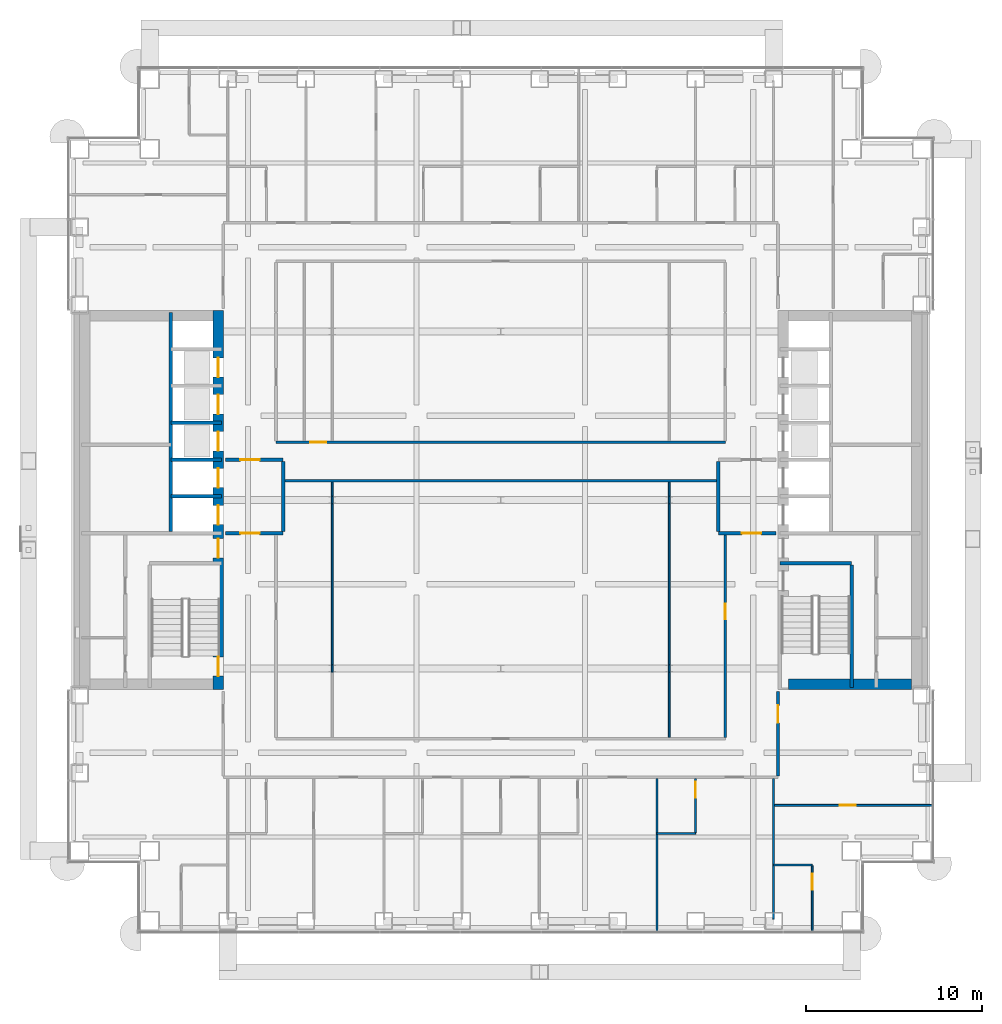
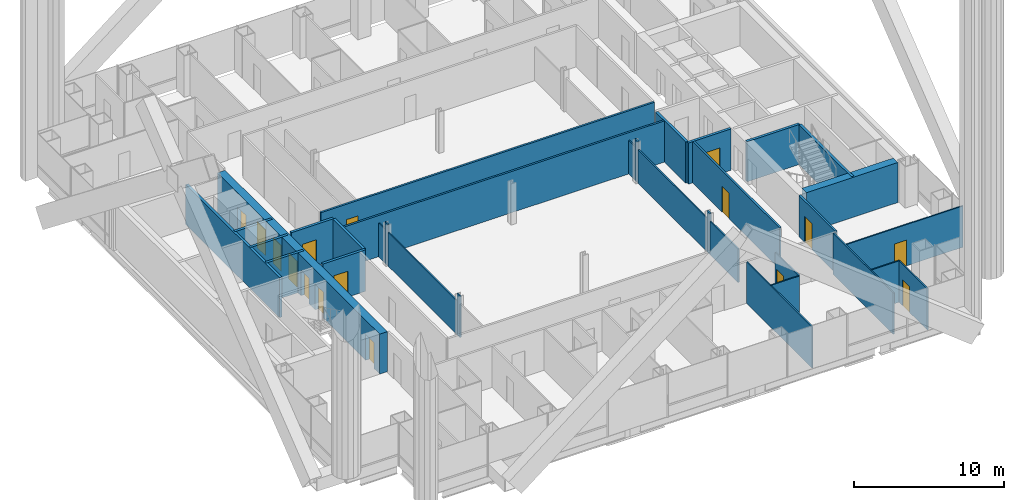
# One storey, part 19 of 28: 33 walls, 16 doors, 16 openings.
"""IFC4 building model written with IfcOpenShell, lengths in metres."""

from ifc_helpers import new_model, si_unit, direction, frame, frame_2d, origin, place, context, subcontext, project, spatial, rectangle, extrude, material, layer, layer_set, type_object, element, fill, save


model = new_model("IFC4")

# Units and contexts
model_context = context("Model", 3, precision=1e-05, world=origin(), true_north=direction((0.0, 1.0)))
body_context = subcontext(model_context, "Body", "Model", "MODEL_VIEW")
ifc_project = project(units=[si_unit("LENGTHUNIT", "METRE"), si_unit("AREAUNIT", "SQUARE_METRE"), si_unit("VOLUMEUNIT", "CUBIC_METRE"), si_unit("PLANEANGLEUNIT", "RADIAN"), si_unit("MASSUNIT", "GRAM", prefix="KILO")], contexts=[model_context])

# Site, building, storey
site_placement = place(None, origin())
site = spatial("IfcSite", under=ifc_project, at=site_placement, CompositionType="ELEMENT")
building_placement = place(site_placement, origin())
building = spatial("IfcBuilding", under=site, at=building_placement, Name="Cobrizo Arcos Hotel Tower", CompositionType="ELEMENT")
storey_placement = place(building_placement, frame((0.0, 0.0, 39.0)))
storey = spatial("IfcBuildingStorey", under=building, at=storey_placement, Name="L07", CompositionType="ELEMENT", Elevation=39.0)

# Wall
ifc_material_1 = material(Name="Gypsum board partition")
ifc_layer_1 = layer(ifc_material_1, 0.14990234375)
ifc_layer_set_1 = layer_set([ifc_layer_1], Name="Corridor wall EI 60 150")
wall_type_1 = type_object("IfcWallType", Name="Corridor wall EI 60 150", PredefinedType="PARTITIONING", material=ifc_layer_set_1)
wall_1_placement = place(storey_placement, frame((-12.39990234375, 1.10009765625, 0.0), z_axis=(0.0, 0.0, 1.0), x_axis=(1.0, 0.0, 0.0)))
element("IfcWall", 1, at=wall_1_placement, inside=storey, type_object=wall_type_1, Name="Partition 021", PredefinedType="PARTITIONING", context=body_context, shape_type="SweptSolid", body=[
    extrude(rectangle(XDim=24.7998046875, YDim=0.14990234375, at=frame_2d((12.39990234375, 0.0))), origin(), (0.0, 0.0, 1.0), 3.35009765625),
])

# Wall, opening, door
wall_2_placement = place(storey_placement, frame((-12.800048828125, 3.300048828125, 0.0), z_axis=(0.0, 0.0, 1.0), x_axis=(1.0, 0.0, 0.0)))
wall_2 = element("IfcWall", 2, at=wall_2_placement, inside=storey, type_object=wall_type_1, Name="Partition 028", PredefinedType="PARTITIONING", context=body_context, shape_type="SweptSolid", body=[
    extrude(rectangle(XDim=25.60009765625, YDim=0.14990234375, at=frame_2d((12.800048828125, 0.0))), origin(), (0.0, 0.0, 1.0), 3.35009765625),
])
opening_1_placement = place(wall_2_placement, frame((1.949951171875, 0.0, 0.0)))
opening_1 = element("IfcOpeningElement", 3, at=opening_1_placement, cuts=wall_2, Name="Opening ED-17", PredefinedType="OPENING", context=body_context, shape_type="SweptSolid", body=[
    extrude(rectangle(XDim=0.89990234375, YDim=2.10009765625, at=frame_2d((0.449951171875, 1.050048828125))), frame((0.0, 0.0869140625, 0.0), z_axis=(0.0, -1.0, 0.0), x_axis=(1.0, 0.0, 0.0)), (0.0, 0.0, 1.0), 0.173828125),
])
ifc_material_2 = material(Name="Timber door leaf", Category="wood")
door_type_1 = type_object("IfcDoorType", Name="En-suite door 900x2100", OperationType="SINGLE_SWING_LEFT", PredefinedType="DOOR", material=ifc_material_2)
door_1_placement = place(opening_1_placement, origin())
door_1 = element("IfcDoor", 4, at=door_1_placement, inside=storey, type_object=door_type_1, Name="Door ED-17", OperationType="SINGLE_SWING_RIGHT", OverallHeight=2.10009765625, OverallWidth=0.89990234375, PredefinedType="DOOR", context=body_context, shape_type="SweptSolid", body=[
    extrude(rectangle(XDim=0.89990234375, YDim=2.10009765625, at=frame_2d((0.449951171875, 1.050048828125))), frame((0.0, 0.02490234375, 0.0), z_axis=(0.0, -1.0, 0.0), x_axis=(1.0, 0.0, 0.0)), (0.0, 0.0, 1.0), 0.050048828125),
])
fill(opening_1, door_1)

wall_3_placement = place(storey_placement, frame((12.800048828125, -13.52490234375, 0.0), z_axis=(0.0, 0.0, 1.0), x_axis=(0.0, 1.0, 0.0)))
wall_3 = element("IfcWall", 5, at=wall_3_placement, inside=storey, type_object=wall_type_1, Name="Partition 095", PredefinedType="PARTITIONING", context=body_context, shape_type="SweptSolid", body=[
    extrude(rectangle(XDim=11.52490234375, YDim=0.14990234375, at=frame_2d((5.762451171875, 0.0))), origin(), (0.0, 0.0, 1.0), 3.35009765625),
])
opening_2_placement = place(wall_3_placement, frame((6.72509765625, 0.0, 0.0)))
opening_2 = element("IfcOpeningElement", 6, at=opening_2_placement, cuts=wall_3, Name="Opening RD-11", PredefinedType="OPENING", context=body_context, shape_type="SweptSolid", body=[
    extrude(rectangle(XDim=0.89990234375, YDim=2.10009765625, at=frame_2d((0.449951171875, 1.050048828125))), frame((0.0, 0.0869140625, 0.0), z_axis=(0.0, -1.0, 0.0), x_axis=(1.0, 0.0, 0.0)), (0.0, 0.0, 1.0), 0.173828125),
])
door_type_2 = type_object("IfcDoorType", Name="Room door FD30 900x2100", OperationType="SINGLE_SWING_LEFT", PredefinedType="DOOR", material=ifc_material_2)
door_2_placement = place(opening_2_placement, origin())
door_2 = element("IfcDoor", 7, at=door_2_placement, inside=storey, type_object=door_type_2, Name="Door RD-11", OperationType="SINGLE_SWING_RIGHT", OverallHeight=2.10009765625, OverallWidth=0.89990234375, PredefinedType="DOOR", context=body_context, shape_type="SweptSolid", body=[
    extrude(rectangle(XDim=0.89990234375, YDim=2.10009765625, at=frame_2d((0.449951171875, 1.050048828125))), frame((0.0, 0.02490234375, 0.0), z_axis=(0.0, -1.0, 0.0), x_axis=(1.0, 0.0, 0.0)), (0.0, 0.0, 1.0), 0.050048828125),
])
fill(opening_2, door_2)

wall_4_placement = place(storey_placement, frame((15.800048828125, -15.72509765625, 0.0), z_axis=(0.0, 0.0, 1.0), x_axis=(0.0, 1.0, 0.0)))
wall_4 = element("IfcWall", 8, at=wall_4_placement, inside=storey, type_object=wall_type_1, Name="Partition 101", PredefinedType="PARTITIONING", context=body_context, shape_type="SweptSolid", body=[
    extrude(rectangle(XDim=4.80517578125, YDim=0.14990234375, at=frame_2d((2.402587890625, 0.0))), origin(), (0.0, 0.0, 1.0), 3.35009765625),
])
opening_3_placement = place(wall_4_placement, frame((3.02490234375, 0.0, 0.0)))
opening_3 = element("IfcOpeningElement", 9, at=opening_3_placement, cuts=wall_4, Name="Opening GD-13", PredefinedType="OPENING", context=body_context, shape_type="SweptSolid", body=[
    extrude(rectangle(XDim=1.0, YDim=2.10009765625, at=frame_2d((0.5, 1.050048828125))), frame((0.0, 0.0869140625, 0.0), z_axis=(0.0, -1.0, 0.0), x_axis=(1.0, 0.0, 0.0)), (0.0, 0.0, 1.0), 0.173828125),
])
door_type_3 = type_object("IfcDoorType", Name="Guest room door FD30S 1000x2100", OperationType="SINGLE_SWING_LEFT", PredefinedType="DOOR", material=ifc_material_2)
door_3_placement = place(opening_3_placement, origin())
door_3 = element("IfcDoor", 10, at=door_3_placement, inside=storey, type_object=door_type_3, Name="Door GD-13", OperationType="SINGLE_SWING_LEFT", OverallHeight=2.10009765625, OverallWidth=1.0, PredefinedType="DOOR", context=body_context, shape_type="SweptSolid", body=[
    extrude(rectangle(XDim=1.0, YDim=2.10009765625, at=frame_2d((0.5, 1.050048828125))), frame((0.0, 0.02490234375, 0.0), z_axis=(0.0, -1.0, 0.0), x_axis=(1.0, 0.0, 0.0)), (0.0, 0.0, 1.0), 0.050048828125),
])
fill(opening_3, door_3)

# Walls
ifc_layer_2 = layer(ifc_material_1, 0.10009765625)
ifc_layer_set_2 = layer_set([ifc_layer_2], Name="Partition EI 30 100")
wall_type_2 = type_object("IfcWallType", Name="Partition EI 30 100", PredefinedType="PARTITIONING", material=ifc_layer_set_2)
wall_5_placement = place(storey_placement, frame((15.550048828125, -20.800048828125, 0.0), z_axis=(0.0, 0.0, 1.0), x_axis=(1.0, 0.0, 0.0)))
element("IfcWall", 11, at=wall_5_placement, inside=storey, type_object=wall_type_2, Name="Partition 002", PredefinedType="PARTITIONING", context=body_context, shape_type="SweptSolid", body=[
    extrude(rectangle(XDim=2.199951171875, YDim=0.10009765625, at=frame_2d((1.10009765625, 0.0))), origin(), (0.0, 0.0, 1.0), 3.35009765625),
])
wall_6_placement = place(storey_placement, frame((8.89990234375, -19.0, 0.0), z_axis=(0.0, 0.0, 1.0), x_axis=(1.0, 0.0, 0.0)))
element("IfcWall", 12, at=wall_6_placement, inside=storey, type_object=wall_type_2, Name="Partition 007", PredefinedType="PARTITIONING", context=body_context, shape_type="SweptSolid", body=[
    extrude(rectangle(XDim=2.2001953125, YDim=0.10009765625, at=frame_2d((1.10009765625, 0.0))), origin(), (0.0, 0.0, 1.0), 3.35009765625),
])

# Wall, opening, door
wall_7_placement = place(storey_placement, frame((15.550048828125, -17.39990234375, 0.0), z_axis=(0.0, 0.0, 1.0), x_axis=(1.0, 0.0, 0.0)))
wall_7 = element("IfcWall", 13, at=wall_7_placement, inside=storey, type_object=wall_type_2, Name="Partition 008", PredefinedType="PARTITIONING", context=body_context, shape_type="SweptSolid", body=[
    extrude(rectangle(XDim=9.030029296875, YDim=0.10009765625, at=frame_2d((4.51513671875, 0.0))), origin(), (0.0, 0.0, 1.0), 3.35009765625),
])
opening_4_placement = place(wall_7_placement, frame((3.778076171875, 0.0, 0.0)))
opening_4 = element("IfcOpeningElement", 14, at=opening_4_placement, cuts=wall_7, Name="Opening RD-07", PredefinedType="OPENING", context=body_context, shape_type="SweptSolid", body=[
    extrude(rectangle(XDim=0.89990234375, YDim=2.10009765625, at=frame_2d((0.449951171875, 1.050048828125))), frame((0.0, 0.06201171875, 0.0), z_axis=(0.0, -1.0, 0.0), x_axis=(1.0, 0.0, 0.0)), (0.0, 0.0, 1.0), 0.1240234375),
])
door_4_placement = place(opening_4_placement, origin())
door_4 = element("IfcDoor", 15, at=door_4_placement, inside=storey, type_object=door_type_2, Name="Door RD-07", OperationType="SINGLE_SWING_RIGHT", OverallHeight=2.10009765625, OverallWidth=0.89990234375, PredefinedType="DOOR", context=body_context, shape_type="SweptSolid", body=[
    extrude(rectangle(XDim=0.89990234375, YDim=2.10009765625, at=frame_2d((0.449951171875, 1.050048828125))), frame((0.0, 0.02490234375, 0.0), z_axis=(0.0, -1.0, 0.0), x_axis=(1.0, 0.0, 0.0)), (0.0, 0.0, 1.0), 0.050048828125),
])
fill(opening_4, door_4)

# Walls
wall_8_placement = place(storey_placement, frame((-9.60009765625, -9.803955078125, 0.0), z_axis=(0.0, 0.0, 1.0), x_axis=(0.0, 1.0, 0.0)))
element("IfcWall", 16, at=wall_8_placement, inside=storey, type_object=wall_type_2, Name="Partition 064", PredefinedType="PARTITIONING", context=body_context, shape_type="SweptSolid", body=[
    extrude(rectangle(XDim=0.407958984375, YDim=0.10009765625, at=frame_2d((0.2041015625, 0.0))), origin(), (0.0, 0.0, 1.0), 3.35009765625),
])
wall_9_placement = place(storey_placement, frame((-9.60009765625, -9.39599609375, 0.0), z_axis=(0.0, 0.0, 1.0), x_axis=(0.0, 1.0, 0.0)))
element("IfcWall", 17, at=wall_9_placement, inside=storey, type_object=wall_type_2, Name="Partition 065", PredefinedType="PARTITIONING", context=body_context, shape_type="SweptSolid", body=[
    extrude(rectangle(XDim=9.19189453125, YDim=0.10009765625, at=frame_2d((4.595947265625, 0.0))), origin(), (0.0, 0.0, 1.0), 2.72802734375),
])
wall_10_placement = place(storey_placement, frame((-9.60009765625, -0.2041015625, 0.0), z_axis=(0.0, 0.0, 1.0), x_axis=(0.0, 1.0, 0.0)))
element("IfcWall", 18, at=wall_10_placement, inside=storey, type_object=wall_type_2, Name="Partition 066", PredefinedType="PARTITIONING", context=body_context, shape_type="SweptSolid", body=[
    extrude(rectangle(XDim=0.408203125, YDim=0.10009765625, at=frame_2d((0.2041015625, 0.0))), origin(), (0.0, 0.0, 1.0), 3.35009765625),
])
wall_11_placement = place(storey_placement, frame((-9.60009765625, 0.2041015625, 0.0), z_axis=(0.0, 0.0, 1.0), x_axis=(0.0, 1.0, 0.0)))
element("IfcWall", 19, at=wall_11_placement, inside=storey, type_object=wall_type_2, Name="Partition 067", PredefinedType="PARTITIONING", context=body_context, shape_type="SweptSolid", body=[
    extrude(rectangle(XDim=0.82080078125, YDim=0.10009765625, at=frame_2d((0.410400390625, 0.0))), origin(), (0.0, 0.0, 1.0), 2.72802734375),
])
wall_12_placement = place(storey_placement, frame((8.89990234375, -24.580078125, 0.0), z_axis=(0.0, 0.0, 1.0), x_axis=(0.0, 1.0, 0.0)))
element("IfcWall", 20, at=wall_12_placement, inside=storey, type_object=wall_type_2, Name="Partition 082", PredefinedType="PARTITIONING", context=body_context, shape_type="SweptSolid", body=[
    extrude(rectangle(XDim=8.705078125, YDim=0.10009765625, at=frame_2d((4.3525390625, 0.0))), origin(), (0.0, 0.0, 1.0), 3.35009765625),
])
wall_13_placement = place(storey_placement, frame((9.60009765625, -13.52490234375, 0.0), z_axis=(0.0, 0.0, 1.0), x_axis=(0.0, 1.0, 0.0)))
element("IfcWall", 21, at=wall_13_placement, inside=storey, type_object=wall_type_2, Name="Partition 084", PredefinedType="PARTITIONING", context=body_context, shape_type="SweptSolid", body=[
    extrude(rectangle(XDim=3.720947265625, YDim=0.10009765625, at=frame_2d((1.8603515625, 0.0))), origin(), (0.0, 0.0, 1.0), 2.72802734375),
])
wall_14_placement = place(storey_placement, frame((9.60009765625, -9.803955078125, 0.0), z_axis=(0.0, 0.0, 1.0), x_axis=(0.0, 1.0, 0.0)))
element("IfcWall", 22, at=wall_14_placement, inside=storey, type_object=wall_type_2, Name="Partition 085", PredefinedType="PARTITIONING", context=body_context, shape_type="SweptSolid", body=[
    extrude(rectangle(XDim=0.407958984375, YDim=0.10009765625, at=frame_2d((0.2041015625, 0.0))), origin(), (0.0, 0.0, 1.0), 3.35009765625),
])
wall_15_placement = place(storey_placement, frame((9.60009765625, -9.39599609375, 0.0), z_axis=(0.0, 0.0, 1.0), x_axis=(0.0, 1.0, 0.0)))
element("IfcWall", 23, at=wall_15_placement, inside=storey, type_object=wall_type_2, Name="Partition 086", PredefinedType="PARTITIONING", context=body_context, shape_type="SweptSolid", body=[
    extrude(rectangle(XDim=9.19189453125, YDim=0.10009765625, at=frame_2d((4.595947265625, 0.0))), origin(), (0.0, 0.0, 1.0), 2.72802734375),
])
wall_16_placement = place(storey_placement, frame((9.60009765625, -0.2041015625, 0.0), z_axis=(0.0, 0.0, 1.0), x_axis=(0.0, 1.0, 0.0)))
element("IfcWall", 24, at=wall_16_placement, inside=storey, type_object=wall_type_2, Name="Partition 087", PredefinedType="PARTITIONING", context=body_context, shape_type="SweptSolid", body=[
    extrude(rectangle(XDim=0.408203125, YDim=0.10009765625, at=frame_2d((0.2041015625, 0.0))), origin(), (0.0, 0.0, 1.0), 3.35009765625),
])
wall_17_placement = place(storey_placement, frame((9.60009765625, 0.2041015625, 0.0), z_axis=(0.0, 0.0, 1.0), x_axis=(0.0, 1.0, 0.0)))
element("IfcWall", 25, at=wall_17_placement, inside=storey, type_object=wall_type_2, Name="Partition 088", PredefinedType="PARTITIONING", context=body_context, shape_type="SweptSolid", body=[
    extrude(rectangle(XDim=0.82080078125, YDim=0.10009765625, at=frame_2d((0.410400390625, 0.0))), origin(), (0.0, 0.0, 1.0), 2.72802734375),
])

# Wall, opening, door
wall_18_placement = place(storey_placement, frame((11.10009765625, -18.949951171875, 0.0), z_axis=(0.0, 0.0, 1.0), x_axis=(0.0, 1.0, 0.0)))
wall_18 = element("IfcWall", 26, at=wall_18_placement, inside=storey, type_object=wall_type_2, Name="Partition 092", PredefinedType="PARTITIONING", context=body_context, shape_type="SweptSolid", body=[
    extrude(rectangle(XDim=3.074951171875, YDim=0.10009765625, at=frame_2d((1.53759765625, 0.0))), origin(), (0.0, 0.0, 1.0), 3.35009765625),
])
opening_5_placement = place(wall_18_placement, frame((1.99609375, 0.0, 0.0)))
opening_5 = element("IfcOpeningElement", 27, at=opening_5_placement, cuts=wall_18, Name="Opening ED-11", PredefinedType="OPENING", context=body_context, shape_type="SweptSolid", body=[
    extrude(rectangle(XDim=0.89990234375, YDim=2.10009765625, at=frame_2d((0.449951171875, 1.050048828125))), frame((0.0, 0.06201171875, 0.0), z_axis=(0.0, -1.0, 0.0), x_axis=(1.0, 0.0, 0.0)), (0.0, 0.0, 1.0), 0.1240234375),
])
door_5_placement = place(opening_5_placement, origin())
door_5 = element("IfcDoor", 28, at=door_5_placement, inside=storey, type_object=door_type_1, Name="Door ED-11", OperationType="SINGLE_SWING_RIGHT", OverallHeight=2.10009765625, OverallWidth=0.89990234375, PredefinedType="DOOR", context=body_context, shape_type="SweptSolid", body=[
    extrude(rectangle(XDim=0.89990234375, YDim=2.10009765625, at=frame_2d((0.449951171875, 1.050048828125))), frame((0.0, 0.02490234375, 0.0), z_axis=(0.0, -1.0, 0.0), x_axis=(1.0, 0.0, 0.0)), (0.0, 0.0, 1.0), 0.050048828125),
])
fill(opening_5, door_5)

# Wall
wall_19_placement = place(storey_placement, frame((15.550048828125, -23.8798828125, 0.0), z_axis=(0.0, 0.0, 1.0), x_axis=(0.0, 1.0, 0.0)))
element("IfcWall", 29, at=wall_19_placement, inside=storey, type_object=wall_type_2, Name="Partition 099", PredefinedType="PARTITIONING", context=body_context, shape_type="SweptSolid", body=[
    extrude(rectangle(XDim=8.0048828125, YDim=0.10009765625, at=frame_2d((4.00244140625, 0.0))), origin(), (0.0, 0.0, 1.0), 3.35009765625),
])

# Wall, opening, door
wall_20_placement = place(storey_placement, frame((17.75, -24.580078125, 0.0), z_axis=(0.0, 0.0, 1.0), x_axis=(0.0, 1.0, 0.0)))
wall_20 = element("IfcWall", 30, at=wall_20_placement, inside=storey, type_object=wall_type_2, Name="Partition 103", PredefinedType="PARTITIONING", context=body_context, shape_type="SweptSolid", body=[
    extrude(rectangle(XDim=3.72998046875, YDim=0.10009765625, at=frame_2d((1.864990234375, 0.0))), origin(), (0.0, 0.0, 1.0), 3.35009765625),
])
opening_6_placement = place(wall_20_placement, frame((2.3701171875, 0.0, 0.0)))
opening_6 = element("IfcOpeningElement", 31, at=opening_6_placement, cuts=wall_20, Name="Opening ED-14", PredefinedType="OPENING", context=body_context, shape_type="SweptSolid", body=[
    extrude(rectangle(XDim=0.89990234375, YDim=2.10009765625, at=frame_2d((0.449951171875, 1.050048828125))), frame((0.0, 0.06201171875, 0.0), z_axis=(0.0, -1.0, 0.0), x_axis=(1.0, 0.0, 0.0)), (0.0, 0.0, 1.0), 0.1240234375),
])
door_6_placement = place(opening_6_placement, origin())
door_6 = element("IfcDoor", 32, at=door_6_placement, inside=storey, type_object=door_type_1, Name="Door ED-14", OperationType="SINGLE_SWING_RIGHT", OverallHeight=2.10009765625, OverallWidth=0.89990234375, PredefinedType="DOOR", context=body_context, shape_type="SweptSolid", body=[
    extrude(rectangle(XDim=0.89990234375, YDim=2.10009765625, at=frame_2d((0.449951171875, 1.050048828125))), frame((0.0, 0.02490234375, 0.0), z_axis=(0.0, -1.0, 0.0), x_axis=(1.0, 0.0, 0.0)), (0.0, 0.0, 1.0), 0.050048828125),
])
fill(opening_6, door_6)

# Wall
ifc_material_3 = material(Name="Concrete f'c 60 MPa", Category="concrete")
ifc_layer_3 = layer(ifc_material_3, 0.60009765625)
ifc_layer_set_3 = layer_set([ifc_layer_3], Name="RC core wall 600 f'c 60")
wall_type_3 = type_object("IfcWallType", Name="RC core wall 600 f'c 60", PredefinedType="SHEAR", material=ifc_layer_set_3)
wall_21_placement = place(storey_placement, frame((16.39990234375, -10.5, 0.0), z_axis=(0.0, 0.0, 1.0), x_axis=(1.0, 0.0, 0.0)))
element("IfcWall", 33, at=wall_21_placement, inside=storey, type_object=wall_type_3, Name="Core wall CW1, east core, south end, L07", PredefinedType="SHEAR", context=body_context, shape_type="SweptSolid", body=[
    extrude(rectangle(XDim=7.0, YDim=0.60009765625, at=frame_2d((3.5, 0.0))), origin(), (0.0, 0.0, 1.0), 3.25),
])

# Wall, openings, doors
wall_22_placement = place(storey_placement, frame((-16.10009765625, -10.800048828125, 0.0), z_axis=(0.0, 0.0, 1.0), x_axis=(0.0, 1.0, 0.0)))
wall_22 = element("IfcWall", 34, at=wall_22_placement, inside=storey, type_object=wall_type_3, Name="Core wall CW1, west core, inner face, L07", PredefinedType="SHEAR", context=body_context, shape_type="SweptSolid", body=[
    extrude(rectangle(XDim=21.60009765625, YDim=0.60009765625, at=frame_2d((10.800048828125, 0.0))), origin(), (0.0, 0.0, 1.0), 3.25),
])
opening_7_placement = place(wall_22_placement, frame((9.39990234375, 0.0, 0.0)))
opening_7 = element("IfcOpeningElement", 35, at=opening_7_placement, cuts=wall_22, Name="Opening LD-01", PredefinedType="OPENING", context=body_context, shape_type="SweptSolid", body=[
    extrude(rectangle(XDim=1.10009765625, YDim=2.10009765625, at=frame_2d((0.550048828125, 1.050048828125))), frame((0.0, 0.31201171875, 0.0), z_axis=(0.0, -1.0, 0.0), x_axis=(1.0, 0.0, 0.0)), (0.0, 0.0, 1.0), 0.6240234375),
])
opening_8_placement = place(wall_22_placement, frame((11.5, 0.0, 0.0)))
opening_8 = element("IfcOpeningElement", 36, at=opening_8_placement, cuts=wall_22, Name="Opening LD-02", PredefinedType="OPENING", context=body_context, shape_type="SweptSolid", body=[
    extrude(rectangle(XDim=1.10009765625, YDim=2.10009765625, at=frame_2d((0.550048828125, 1.050048828125))), frame((0.0, 0.31201171875, 0.0), z_axis=(0.0, -1.0, 0.0), x_axis=(1.0, 0.0, 0.0)), (0.0, 0.0, 1.0), 0.6240234375),
])
opening_9_placement = place(wall_22_placement, frame((13.60009765625, 0.0, 0.0)))
opening_9 = element("IfcOpeningElement", 37, at=opening_9_placement, cuts=wall_22, Name="Opening LD-03", PredefinedType="OPENING", context=body_context, shape_type="SweptSolid", body=[
    extrude(rectangle(XDim=1.10009765625, YDim=2.10009765625, at=frame_2d((0.550048828125, 1.050048828125))), frame((0.0, 0.31201171875, 0.0), z_axis=(0.0, -1.0, 0.0), x_axis=(1.0, 0.0, 0.0)), (0.0, 0.0, 1.0), 0.6240234375),
])
opening_10_placement = place(wall_22_placement, frame((15.699951171875, 0.0, 0.0)))
opening_10 = element("IfcOpeningElement", 38, at=opening_10_placement, cuts=wall_22, Name="Opening LD-04", PredefinedType="OPENING", context=body_context, shape_type="SweptSolid", body=[
    extrude(rectangle(XDim=1.10009765625, YDim=2.10009765625, at=frame_2d((0.550048828125, 1.050048828125))), frame((0.0, 0.31201171875, 0.0), z_axis=(0.0, -1.0, 0.0), x_axis=(1.0, 0.0, 0.0)), (0.0, 0.0, 1.0), 0.6240234375),
])
opening_11_placement = place(wall_22_placement, frame((17.800048828125, 0.0, 0.0)))
opening_11 = element("IfcOpeningElement", 39, at=opening_11_placement, cuts=wall_22, Name="Opening LD-05", PredefinedType="OPENING", context=body_context, shape_type="SweptSolid", body=[
    extrude(rectangle(XDim=1.10009765625, YDim=2.10009765625, at=frame_2d((0.550048828125, 1.050048828125))), frame((0.0, 0.31201171875, 0.0), z_axis=(0.0, -1.0, 0.0), x_axis=(1.0, 0.0, 0.0)), (0.0, 0.0, 1.0), 0.6240234375),
])
opening_12_placement = place(wall_22_placement, frame((0.758056640625, 0.0, 0.0)))
opening_12 = element("IfcOpeningElement", 40, at=opening_12_placement, cuts=wall_22, Name="Opening SD-01", PredefinedType="OPENING", context=body_context, shape_type="SweptSolid", body=[
    extrude(rectangle(XDim=1.10009765625, YDim=2.10009765625, at=frame_2d((0.550048828125, 1.050048828125))), frame((0.0, 0.31201171875, 0.0), z_axis=(0.0, -1.0, 0.0), x_axis=(1.0, 0.0, 0.0)), (0.0, 0.0, 1.0), 0.6240234375),
])
opening_13_placement = place(wall_22_placement, frame((7.5, 0.0, 0.0)))
opening_13 = element("IfcOpeningElement", 41, at=opening_13_placement, cuts=wall_22, Name="Opening FD-01", PredefinedType="OPENING", context=body_context, shape_type="SweptSolid", body=[
    extrude(rectangle(XDim=1.10009765625, YDim=2.10009765625, at=frame_2d((0.550048828125, 1.050048828125))), frame((0.0, 0.31201171875, 0.0), z_axis=(0.0, -1.0, 0.0), x_axis=(1.0, 0.0, 0.0)), (0.0, 0.0, 1.0), 0.6240234375),
])
ifc_material_4 = material(Name="Steel door leaf", Category="steel")
door_type_4 = type_object("IfcDoorType", Name="Fire door FD60 1100x2100", OperationType="SINGLE_SWING_LEFT", PredefinedType="DOOR", material=ifc_material_4)
door_7_placement = place(opening_13_placement, origin())
door_7 = element("IfcDoor", 42, at=door_7_placement, inside=storey, type_object=door_type_4, Name="Door FD-01", OperationType="SINGLE_SWING_LEFT", OverallHeight=2.10009765625, OverallWidth=1.10009765625, PredefinedType="DOOR", context=body_context, shape_type="SweptSolid", body=[
    extrude(rectangle(XDim=1.10009765625, YDim=2.10009765625, at=frame_2d((0.550048828125, 1.050048828125))), frame((0.0, 0.02490234375, 0.0), z_axis=(0.0, -1.0, 0.0), x_axis=(1.0, 0.0, 0.0)), (0.0, 0.0, 1.0), 0.050048828125),
])
fill(opening_13, door_7)
door_type_5 = type_object("IfcDoorType", Name="Lift landing door 1100x2100", OperationType="SLIDING_TO_LEFT", PredefinedType="DOOR", material=ifc_material_4)
door_8_placement = place(opening_7_placement, origin())
door_8 = element("IfcDoor", 43, at=door_8_placement, inside=storey, type_object=door_type_5, Name="Lift landing door LD-01", OperationType="SLIDING_TO_LEFT", OverallHeight=2.10009765625, OverallWidth=1.10009765625, PredefinedType="DOOR", context=body_context, shape_type="SweptSolid", body=[
    extrude(rectangle(XDim=1.10009765625, YDim=2.10009765625, at=frame_2d((0.550048828125, 1.050048828125))), frame((0.0, 0.02490234375, 0.0), z_axis=(0.0, -1.0, 0.0), x_axis=(1.0, 0.0, 0.0)), (0.0, 0.0, 1.0), 0.050048828125),
])
fill(opening_7, door_8)
door_9_placement = place(opening_8_placement, origin())
door_9 = element("IfcDoor", 44, at=door_9_placement, inside=storey, type_object=door_type_5, Name="Lift landing door LD-02", OperationType="SLIDING_TO_LEFT", OverallHeight=2.10009765625, OverallWidth=1.10009765625, PredefinedType="DOOR", context=body_context, shape_type="SweptSolid", body=[
    extrude(rectangle(XDim=1.10009765625, YDim=2.10009765625, at=frame_2d((0.550048828125, 1.050048828125))), frame((0.0, 0.02490234375, 0.0), z_axis=(0.0, -1.0, 0.0), x_axis=(1.0, 0.0, 0.0)), (0.0, 0.0, 1.0), 0.050048828125),
])
fill(opening_8, door_9)
door_10_placement = place(opening_9_placement, origin())
door_10 = element("IfcDoor", 45, at=door_10_placement, inside=storey, type_object=door_type_5, Name="Lift landing door LD-03", OperationType="SLIDING_TO_LEFT", OverallHeight=2.10009765625, OverallWidth=1.10009765625, PredefinedType="DOOR", context=body_context, shape_type="SweptSolid", body=[
    extrude(rectangle(XDim=1.10009765625, YDim=2.10009765625, at=frame_2d((0.550048828125, 1.050048828125))), frame((0.0, 0.02490234375, 0.0), z_axis=(0.0, -1.0, 0.0), x_axis=(1.0, 0.0, 0.0)), (0.0, 0.0, 1.0), 0.050048828125),
])
fill(opening_9, door_10)
door_11_placement = place(opening_10_placement, origin())
door_11 = element("IfcDoor", 46, at=door_11_placement, inside=storey, type_object=door_type_5, Name="Lift landing door LD-04", OperationType="SLIDING_TO_LEFT", OverallHeight=2.10009765625, OverallWidth=1.10009765625, PredefinedType="DOOR", context=body_context, shape_type="SweptSolid", body=[
    extrude(rectangle(XDim=1.10009765625, YDim=2.10009765625, at=frame_2d((0.550048828125, 1.050048828125))), frame((0.0, 0.02490234375, 0.0), z_axis=(0.0, -1.0, 0.0), x_axis=(1.0, 0.0, 0.0)), (0.0, 0.0, 1.0), 0.050048828125),
])
fill(opening_10, door_11)
door_12_placement = place(opening_11_placement, origin())
door_12 = element("IfcDoor", 47, at=door_12_placement, inside=storey, type_object=door_type_5, Name="Lift landing door LD-05", OperationType="SLIDING_TO_LEFT", OverallHeight=2.10009765625, OverallWidth=1.10009765625, PredefinedType="DOOR", context=body_context, shape_type="SweptSolid", body=[
    extrude(rectangle(XDim=1.10009765625, YDim=2.10009765625, at=frame_2d((0.550048828125, 1.050048828125))), frame((0.0, 0.02490234375, 0.0), z_axis=(0.0, -1.0, 0.0), x_axis=(1.0, 0.0, 0.0)), (0.0, 0.0, 1.0), 0.050048828125),
])
fill(opening_11, door_12)
door_type_6 = type_object("IfcDoorType", Name="Stair door FD60S 1100x2100", OperationType="SINGLE_SWING_LEFT", PredefinedType="DOOR", material=ifc_material_4)
door_13_placement = place(opening_12_placement, origin())
door_13 = element("IfcDoor", 48, at=door_13_placement, inside=storey, type_object=door_type_6, Name="Door SD-01", OperationType="SINGLE_SWING_RIGHT", OverallHeight=2.10009765625, OverallWidth=1.10009765625, PredefinedType="DOOR", context=body_context, shape_type="SweptSolid", body=[
    extrude(rectangle(XDim=1.10009765625, YDim=2.10009765625, at=frame_2d((0.550048828125, 1.050048828125))), frame((0.0, 0.02490234375, 0.0), z_axis=(0.0, -1.0, 0.0), x_axis=(1.0, 0.0, 0.0)), (0.0, 0.0, 1.0), 0.050048828125),
])
fill(opening_12, door_13)

# Wall, opening, door
ifc_layer_4 = layer(ifc_material_1, 0.199951171875)
ifc_layer_set_4 = layer_set([ifc_layer_4], Name="Shaft wall EI 120 200")
wall_type_4 = type_object("IfcWallType", Name="Shaft wall EI 120 200", PredefinedType="PARTITIONING", material=ifc_layer_set_4)
wall_23_placement = place(storey_placement, frame((-15.679931640625, -1.89990234375, 0.0), z_axis=(0.0, 0.0, 1.0), x_axis=(1.0, 0.0, 0.0)))
wall_23 = element("IfcWall", 49, at=wall_23_placement, inside=storey, type_object=wall_type_4, Name="Partition 016", PredefinedType="PARTITIONING", context=body_context, shape_type="SweptSolid", body=[
    extrude(rectangle(XDim=3.280029296875, YDim=0.199951171875, at=frame_2d((1.64013671875, 0.0))), origin(), (0.0, 0.0, 1.0), 3.35009765625),
])
opening_14_placement = place(wall_23_placement, frame((0.840087890625, 0.0, 0.0)))
opening_14 = element("IfcOpeningElement", 50, at=opening_14_placement, cuts=wall_23, Name="Opening FD-03", PredefinedType="OPENING", context=body_context, shape_type="SweptSolid", body=[
    extrude(rectangle(XDim=1.10009765625, YDim=2.10009765625, at=frame_2d((0.550048828125, 1.050048828125))), frame((0.0, 0.112060546875, 0.0), z_axis=(0.0, -1.0, 0.0), x_axis=(1.0, 0.0, 0.0)), (0.0, 0.0, 1.0), 0.223876953125),
])
door_14_placement = place(opening_14_placement, origin())
door_14 = element("IfcDoor", 51, at=door_14_placement, inside=storey, type_object=door_type_4, Name="Door FD-03", OperationType="SINGLE_SWING_LEFT", OverallHeight=2.10009765625, OverallWidth=1.10009765625, PredefinedType="DOOR", context=body_context, shape_type="SweptSolid", body=[
    extrude(rectangle(XDim=1.10009765625, YDim=2.10009765625, at=frame_2d((0.550048828125, 1.050048828125))), frame((0.0, 0.02490234375, 0.0), z_axis=(0.0, -1.0, 0.0), x_axis=(1.0, 0.0, 0.0)), (0.0, 0.0, 1.0), 0.050048828125),
])
fill(opening_14, door_14)

wall_24_placement = place(storey_placement, frame((12.39990234375, -1.89990234375, 0.0), z_axis=(0.0, 0.0, 1.0), x_axis=(1.0, 0.0, 0.0)))
wall_24 = element("IfcWall", 52, at=wall_24_placement, inside=storey, type_object=wall_type_4, Name="Partition 017", PredefinedType="PARTITIONING", context=body_context, shape_type="SweptSolid", body=[
    extrude(rectangle(XDim=3.280029296875, YDim=0.199951171875, at=frame_2d((1.64013671875, 0.0))), origin(), (0.0, 0.0, 1.0), 3.35009765625),
])
opening_15_placement = place(wall_24_placement, frame((1.340087890625, 0.0, 0.0)))
opening_15 = element("IfcOpeningElement", 53, at=opening_15_placement, cuts=wall_24, Name="Opening FD-06", PredefinedType="OPENING", context=body_context, shape_type="SweptSolid", body=[
    extrude(rectangle(XDim=1.10009765625, YDim=2.10009765625, at=frame_2d((0.550048828125, 1.050048828125))), frame((0.0, 0.112060546875, 0.0), z_axis=(0.0, -1.0, 0.0), x_axis=(1.0, 0.0, 0.0)), (0.0, 0.0, 1.0), 0.223876953125),
])
door_15_placement = place(opening_15_placement, origin())
door_15 = element("IfcDoor", 54, at=door_15_placement, inside=storey, type_object=door_type_4, Name="Door FD-06", OperationType="SINGLE_SWING_LEFT", OverallHeight=2.10009765625, OverallWidth=1.10009765625, PredefinedType="DOOR", context=body_context, shape_type="SweptSolid", body=[
    extrude(rectangle(XDim=1.10009765625, YDim=2.10009765625, at=frame_2d((0.550048828125, 1.050048828125))), frame((0.0, 0.02490234375, 0.0), z_axis=(0.0, -1.0, 0.0), x_axis=(1.0, 0.0, 0.0)), (0.0, 0.0, 1.0), 0.050048828125),
])
fill(opening_15, door_15)

# Walls
for number, where, z_axis, x_axis, name in (
    (55, (-18.800048828125, 0.199951171875, 0.0), (0.0, 0.0, 1.0), (1.0, 0.0, 0.0), "Partition 019"),
    (56, (-18.800048828125, 2.300048828125, 0.0), (0.0, 0.0, 1.0), (1.0, 0.0, 0.0), "Partition 022"),
):
    element("IfcWall", number, at=place(storey_placement, frame(where, z_axis=z_axis, x_axis=x_axis)), inside=storey, type_object=wall_type_4, Name=name, PredefinedType="PARTITIONING", context=body_context, shape_type="SweptSolid", body=[
        extrude(rectangle(XDim=2.880126953125, YDim=0.199951171875, at=frame_2d((1.43994140625, 0.0))), origin(), (0.0, 0.0, 1.0), 3.25),
    ])

# Wall, opening, door
wall_25_placement = place(storey_placement, frame((-15.679931640625, 2.300048828125, 0.0), z_axis=(0.0, 0.0, 1.0), x_axis=(1.0, 0.0, 0.0)))
wall_25 = element("IfcWall", 57, at=wall_25_placement, inside=storey, type_object=wall_type_4, Name="Partition 023", PredefinedType="PARTITIONING", context=body_context, shape_type="SweptSolid", body=[
    extrude(rectangle(XDim=3.280029296875, YDim=0.199951171875, at=frame_2d((1.64013671875, 0.0))), origin(), (0.0, 0.0, 1.0), 3.35009765625),
])
opening_16_placement = place(wall_25_placement, frame((0.840087890625, 0.0, 0.0)))
opening_16 = element("IfcOpeningElement", 58, at=opening_16_placement, cuts=wall_25, Name="Opening FD-02", PredefinedType="OPENING", context=body_context, shape_type="SweptSolid", body=[
    extrude(rectangle(XDim=1.10009765625, YDim=2.10009765625, at=frame_2d((0.550048828125, 1.050048828125))), frame((0.0, 0.112060546875, 0.0), z_axis=(0.0, -1.0, 0.0), x_axis=(1.0, 0.0, 0.0)), (0.0, 0.0, 1.0), 0.223876953125),
])
door_16_placement = place(opening_16_placement, origin())
door_16 = element("IfcDoor", 59, at=door_16_placement, inside=storey, type_object=door_type_4, Name="Door FD-02", OperationType="SINGLE_SWING_LEFT", OverallHeight=2.10009765625, OverallWidth=1.10009765625, PredefinedType="DOOR", context=body_context, shape_type="SweptSolid", body=[
    extrude(rectangle(XDim=1.10009765625, YDim=2.10009765625, at=frame_2d((0.550048828125, 1.050048828125))), frame((0.0, 0.02490234375, 0.0), z_axis=(0.0, -1.0, 0.0), x_axis=(1.0, 0.0, 0.0)), (0.0, 0.0, 1.0), 0.050048828125),
])
fill(opening_16, door_16)

# Walls
wall_26_placement = place(storey_placement, frame((-18.800048828125, 4.39990234375, 0.0), z_axis=(0.0, 0.0, 1.0), x_axis=(1.0, 0.0, 0.0)))
element("IfcWall", 60, at=wall_26_placement, inside=storey, type_object=wall_type_4, Name="Partition 029", PredefinedType="PARTITIONING", context=body_context, shape_type="SweptSolid", body=[
    extrude(rectangle(XDim=2.880126953125, YDim=0.199951171875, at=frame_2d((1.43994140625, 0.0))), origin(), (0.0, 0.0, 1.0), 3.25),
])
wall_27_placement = place(storey_placement, frame((-18.800048828125, -1.800048828125, 0.0), z_axis=(0.0, 0.0, 1.0), x_axis=(0.0, 1.0, 0.0)))
element("IfcWall", 61, at=wall_27_placement, inside=storey, type_object=wall_type_4, Name="Partition 047", PredefinedType="PARTITIONING", context=body_context, shape_type="SweptSolid", body=[
    extrude(rectangle(XDim=12.47998046875, YDim=0.199951171875, at=frame_2d((6.239990234375, 0.0))), origin(), (0.0, 0.0, 1.0), 3.25),
])
for number, where, z_axis, x_axis, name in (
    (62, (-12.39990234375, -1.800048828125, 0.0), (0.0, 0.0, 1.0), (0.0, 1.0, 0.0), "Partition 059"),
    (63, (12.39990234375, -1.800048828125, 0.0), (0.0, 0.0, 1.0), (0.0, 1.0, 0.0), "Partition 094"),
):
    element("IfcWall", number, at=place(storey_placement, frame(where, z_axis=z_axis, x_axis=x_axis)), inside=storey, type_object=wall_type_4, Name=name, PredefinedType="PARTITIONING", context=body_context, shape_type="SweptSolid", body=[
        extrude(rectangle(XDim=4.0, YDim=0.199951171875, at=frame_2d((2.0, 0.0))), origin(), (0.0, 0.0, 1.0), 3.35009765625),
    ])
ifc_material_5 = material(Name="Concrete f'c 40 MPa", Category="concrete")
ifc_layer_5 = layer(ifc_material_5, 0.199951171875)
ifc_layer_set_5 = layer_set([ifc_layer_5], Name="Stair shaft wall 200")
wall_type_5 = type_object("IfcWallType", Name="Stair shaft wall 200", PredefinedType="SHEAR", material=ifc_layer_set_5)
wall_28_placement = place(storey_placement, frame((15.919921875, -3.60009765625, 0.0), z_axis=(0.0, 0.0, 1.0), x_axis=(1.0, 0.0, 0.0)))
element("IfcWall", 64, at=wall_28_placement, inside=storey, type_object=wall_type_5, Name="Stair shaft wall E", PredefinedType="SHEAR", context=body_context, shape_type="SweptSolid", body=[
    extrude(rectangle(XDim=4.080078125, YDim=0.199951171875, at=frame_2d((2.0400390625, 0.0))), origin(), (0.0, 0.0, 1.0), 3.25),
])
wall_29_placement = place(storey_placement, frame((20.0, -10.679931640625, 0.0), z_axis=(0.0, 0.0, 1.0), x_axis=(0.0, 1.0, 0.0)))
element("IfcWall", 65, at=wall_29_placement, inside=storey, type_object=wall_type_5, Name="Stair shaft wall E", PredefinedType="SHEAR", context=body_context, shape_type="SweptSolid", body=[
    extrude(rectangle(XDim=6.97998046875, YDim=0.199951171875, at=frame_2d((3.489990234375, 0.0))), origin(), (0.0, 0.0, 1.0), 3.25),
])

save(model, "model.ifc")
